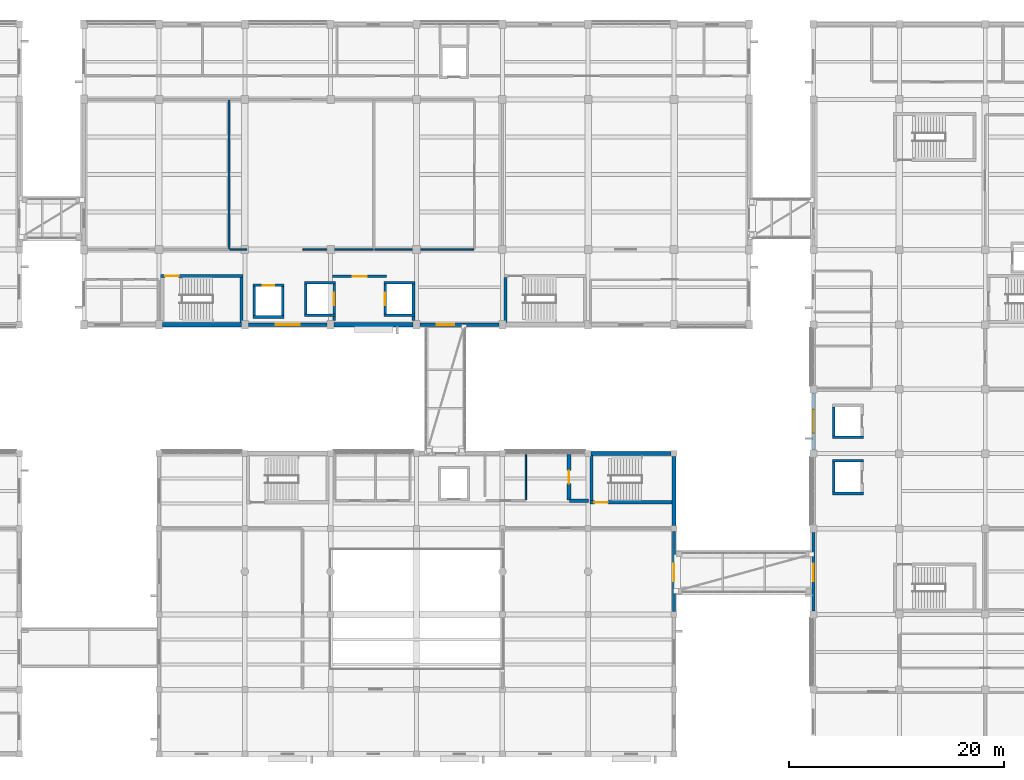
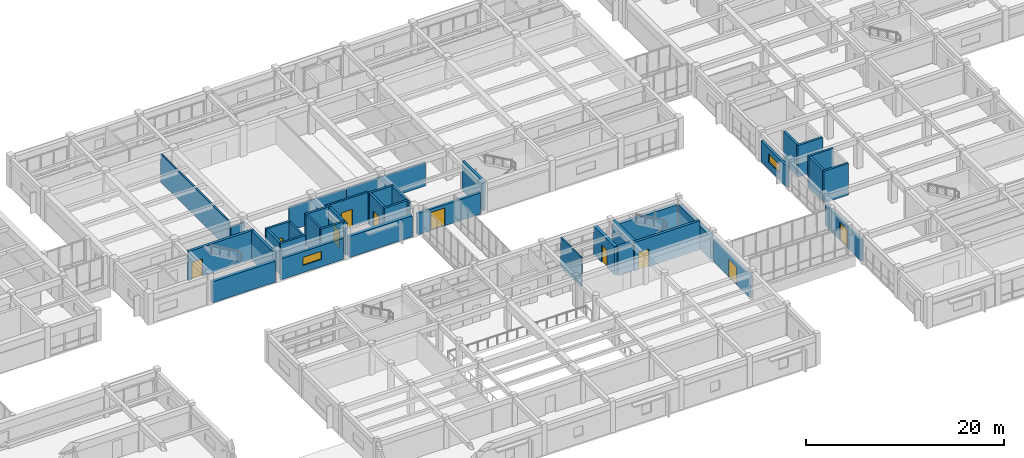
# One storey, part 49 of 66: 39 walls, 10 doors, 2 windows, 12 openings.
"""IFC4 building model written with IfcOpenShell, lengths in metres."""

from ifc_helpers import new_model, si_unit, direction, frame, frame_2d, origin, place, context, subcontext, project, spatial, rectangle, extrude, material, layer, layer_set, type_object, element, fill, save


model = new_model("IFC4")

# Units and contexts
model_context = context("Model", 3, precision=1e-05, world=origin(), true_north=direction((0.0, 1.0)))
body_context = subcontext(model_context, "Body", "Model", "MODEL_VIEW")
ifc_project = project(units=[si_unit("LENGTHUNIT", "METRE"), si_unit("AREAUNIT", "SQUARE_METRE"), si_unit("VOLUMEUNIT", "CUBIC_METRE"), si_unit("PLANEANGLEUNIT", "RADIAN"), si_unit("MASSUNIT", "GRAM", prefix="KILO")], contexts=[model_context])

# Site, building, storey
site_placement = place(None, origin())
site = spatial("IfcSite", under=ifc_project, at=site_placement, CompositionType="ELEMENT")
building_placement = place(site_placement, origin())
building = spatial("IfcBuilding", under=site, at=building_placement, Name="Naurynzar Civic Courthouse", CompositionType="ELEMENT")
storey_placement = place(building_placement, frame((0.0, 0.0, 14.39990234375)))
storey = spatial("IfcBuildingStorey", under=building, at=storey_placement, Name="L04", CompositionType="ELEMENT", Elevation=14.39990234375)

# Walls
ifc_material_1 = material(Name="Acoustic Double-Stud Gypsum Partition")
ifc_layer_1 = layer(ifc_material_1, 0.155029296875)
ifc_layer_set_1 = layer_set([ifc_layer_1], Name="WL-ACOUSTIC-155")
wall_type_1 = type_object("IfcWallType", Name="WL-ACOUSTIC-155", PredefinedType="PARTITIONING", material=ifc_layer_set_1)
wall_1_placement = place(storey_placement, frame((75.60009765625, 51.0, 0.0), z_axis=(0.0, 0.0, 1.0), x_axis=(1.0, 0.0, 0.0)))
element("IfcWall", 1, at=wall_1_placement, inside=storey, type_object=wall_type_1, Name="V2 interior partition L04.485", PredefinedType="PARTITIONING", context=body_context, shape_type="SweptSolid", body=[
    extrude(rectangle(XDim=1.599853515625, YDim=0.155029296875, at=frame_2d((0.7998046875, 0.0))), origin(), (0.0, 0.0, 1.0), 2.93017578125),
])
wall_2_placement = place(storey_placement, frame((82.39990234375, 51.0, 0.0), z_axis=(0.0, 0.0, 1.0), x_axis=(1.0, 0.0, 0.0)))
element("IfcWall", 2, at=wall_2_placement, inside=storey, type_object=wall_type_1, Name="V2 interior partition L04.486", PredefinedType="PARTITIONING", context=body_context, shape_type="SweptSolid", body=[
    extrude(rectangle(XDim=6.56005859375, YDim=0.155029296875, at=frame_2d((3.280029296875, 0.0))), origin(), (0.0, 0.0, 1.0), 2.93017578125),
])
wall_3_placement = place(storey_placement, frame((75.52001953125, 51.080078125, 0.0), z_axis=(0.0, 0.0, 1.0), x_axis=(0.0, 1.0, 0.0)))
element("IfcWall", 3, at=wall_3_placement, inside=storey, type_object=wall_type_1, Name="V2 interior partition L04.534", PredefinedType="PARTITIONING", context=body_context, shape_type="SweptSolid", body=[
    extrude(rectangle(XDim=13.83984375, YDim=0.155029296875, at=frame_2d((6.919921875, 0.0))), origin(), (0.0, 0.0, 1.0), 3.5400390625),
])

# Wall, opening, door
ifc_material_2 = material(Name="Concrete C40/50", Category="concrete")
ifc_layer_2 = layer(ifc_material_2, 0.300048828125)
ifc_layer_set_2 = layer_set([ifc_layer_2], Name="WL-CORE-300")
wall_type_2 = type_object("IfcWallType", Name="WL-CORE-300", PredefinedType="SHEAR", material=ifc_layer_set_2)
wall_4_placement = place(storey_placement, frame((76.85009765625, 48.550048828125, 0.0), z_axis=(0.0, 0.0, 1.0), x_axis=(-1.0, 0.0, 0.0)))
wall_4 = element("IfcWall", 4, at=wall_4_placement, inside=storey, type_object=wall_type_2, Name="Stair ST-V2A enclosure wall north L04", PredefinedType="SHEAR", context=body_context, shape_type="SweptSolid", body=[
    extrude(rectangle(XDim=7.7001953125, YDim=0.300048828125, at=frame_2d((3.85009765625, 0.0))), origin(), (0.0, 0.0, 1.0), 3.6201171875),
])
opening_1_placement = place(wall_4_placement, frame((6.02490234375, 0.0, 0.0)))
opening_1 = element("IfcOpeningElement", 5, at=opening_1_placement, cuts=wall_4, Name="Opening SD-027", PredefinedType="OPENING", context=body_context, shape_type="SweptSolid", body=[
    extrude(rectangle(XDim=1.25, YDim=2.14990234375, at=frame_2d((0.625, 1.074951171875))), frame((0.0, 0.159912109375, 0.0), z_axis=(0.0, -1.0, 0.0), x_axis=(1.0, 0.0, 0.0)), (0.0, 0.0, 1.0), 0.320068359375),
])
ifc_material_3 = material(Name="Powder-Coated Galvanised Steel", Category="steel")
door_type_1 = type_object("IfcDoorType", Name="DR-STAIR-1250x2150", OperationType="NOTDEFINED", PredefinedType="DOOR", material=ifc_material_3)
door_1_placement = place(opening_1_placement, origin())
door_1 = element("IfcDoor", 6, at=door_1_placement, inside=storey, type_object=door_type_1, Name="Stair ST-V2A fire door L04", OperationType="SINGLE_SWING_LEFT", OverallHeight=2.14990234375, OverallWidth=1.25, PredefinedType="DOOR", context=body_context, shape_type="SweptSolid", body=[
    extrude(rectangle(XDim=1.25, YDim=2.14990234375, at=frame_2d((0.625, 1.074951171875))), frame((0.0, 0.02490234375, 0.0), z_axis=(0.0, -1.0, 0.0), x_axis=(1.0, 0.0, 0.0)), (0.0, 0.0, 1.0), 0.050048828125),
])
fill(opening_1, door_1)

# Walls
for number, where, z_axis, x_axis, name in (
    (7, (76.699951171875, 44.195068359375, 0.0), (0.0, 0.0, 1.0), (0.0, 1.0, 0.0), "Stair ST-V2A enclosure wall east L04"),
    (8, (101.300048828125, 48.39501953125, 0.0), (0.0, 0.0, 1.0), (0.0, -1.0, 0.0), "Stair ST-V2B enclosure wall west L04"),
):
    element("IfcWall", number, at=place(storey_placement, frame(where, z_axis=z_axis, x_axis=x_axis)), inside=storey, type_object=wall_type_2, Name=name, PredefinedType="SHEAR", context=body_context, shape_type="SweptSolid", body=[
        extrude(rectangle(XDim=4.199951171875, YDim=0.300048828125, at=frame_2d((2.10009765625, 0.0))), origin(), (0.0, 0.0, 1.0), 3.6201171875),
    ])

# Wall, opening, door
wall_5_placement = place(storey_placement, frame((109.14990234375, 27.449951171875, 0.0), z_axis=(0.0, 0.0, 1.0), x_axis=(1.0, 0.0, 0.0)))
wall_5 = element("IfcWall", 9, at=wall_5_placement, inside=storey, type_object=wall_type_2, Name="Stair ST-V3B enclosure wall south L04", PredefinedType="SHEAR", context=body_context, shape_type="SweptSolid", body=[
    extrude(rectangle(XDim=7.655029296875, YDim=0.300048828125, at=frame_2d((3.82763671875, 0.0))), origin(), (0.0, 0.0, 1.0), 3.56005859375),
])
opening_2_placement = place(wall_5_placement, frame((0.425048828125, 0.0, 0.0)))
opening_2 = element("IfcOpeningElement", 10, at=opening_2_placement, cuts=wall_5, Name="Opening SD-056", PredefinedType="OPENING", context=body_context, shape_type="SweptSolid", body=[
    extrude(rectangle(XDim=1.25, YDim=2.14990234375, at=frame_2d((0.625, 1.074951171875))), frame((0.0, 0.159912109375, 0.0), z_axis=(0.0, -1.0, 0.0), x_axis=(1.0, 0.0, 0.0)), (0.0, 0.0, 1.0), 0.320068359375),
])
door_2_placement = place(opening_2_placement, origin())
door_2 = element("IfcDoor", 11, at=door_2_placement, inside=storey, type_object=door_type_1, Name="Stair ST-V3B fire door L04", OperationType="SINGLE_SWING_RIGHT", OverallHeight=2.14990234375, OverallWidth=1.25, PredefinedType="DOOR", context=body_context, shape_type="SweptSolid", body=[
    extrude(rectangle(XDim=1.25, YDim=2.14990234375, at=frame_2d((0.625, 1.074951171875))), frame((0.0, 0.02490234375, 0.0), z_axis=(0.0, -1.0, 0.0), x_axis=(1.0, 0.0, 0.0)), (0.0, 0.0, 1.0), 0.050048828125),
])
fill(opening_2, door_2)

# Walls
wall_6_placement = place(storey_placement, frame((109.300048828125, 31.804931640625, 0.0), z_axis=(0.0, 0.0, 1.0), x_axis=(0.0, -1.0, 0.0)))
element("IfcWall", 12, at=wall_6_placement, inside=storey, type_object=wall_type_2, Name="Stair ST-V3B enclosure wall west L04", PredefinedType="SHEAR", context=body_context, shape_type="SweptSolid", body=[
    extrude(rectangle(XDim=4.199951171875, YDim=0.300048828125, at=frame_2d((2.10009765625, 0.0))), origin(), (0.0, 0.0, 1.0), 3.56005859375),
])
ifc_material_4 = material(Name="Concrete C40/50", Category="concrete")
ifc_layer_3 = layer(ifc_material_4, 0.35009765625)
ifc_layer_set_3 = layer_set([ifc_layer_3], Name="WL-CORE-350")
wall_type_3 = type_object("IfcWallType", Name="WL-CORE-350", PredefinedType="SHEAR", material=ifc_layer_set_3)
wall_7_placement = place(storey_placement, frame((107.280029296875, 27.60009765625, 0.0), z_axis=(0.0, 0.0, 1.0), x_axis=(1.0, 0.0, 0.0)))
element("IfcWall", 13, at=wall_7_placement, inside=storey, type_object=wall_type_3, Name="V3 interior partition L04.467", PredefinedType="SHEAR", context=body_context, shape_type="SweptSolid", body=[
    extrude(rectangle(XDim=1.77001953125, YDim=0.35009765625, at=frame_2d((0.885009765625, 0.0))), origin(), (0.0, 0.0, 1.0), 3.5400390625),
])

# Wall, opening, door
wall_8_placement = place(storey_placement, frame((107.199951171875, 27.679931640625, 0.0), z_axis=(0.0, 0.0, 1.0), x_axis=(0.0, 1.0, 0.0)))
wall_8 = element("IfcWall", 14, at=wall_8_placement, inside=storey, type_object=wall_type_3, Name="V3 interior partition L04.549", PredefinedType="SHEAR", context=body_context, shape_type="SweptSolid", body=[
    extrude(rectangle(XDim=4.239990234375, YDim=0.35009765625, at=frame_2d((2.1201171875, 0.0))), origin(), (0.0, 0.0, 1.0), 3.5400390625),
])
opening_3_placement = place(wall_8_placement, frame((1.52001953125, 0.0, 0.0)))
opening_3 = element("IfcOpeningElement", 15, at=opening_3_placement, cuts=wall_8, Name="Opening D-249", PredefinedType="OPENING", context=body_context, shape_type="SweptSolid", body=[
    extrude(rectangle(XDim=1.199951171875, YDim=2.14990234375, at=frame_2d((0.60009765625, 1.074951171875))), frame((0.0, 0.18505859375, 0.0), z_axis=(0.0, -1.0, 0.0), x_axis=(1.0, 0.0, 0.0)), (0.0, 0.0, 1.0), 0.3701171875),
])
ifc_material_5 = material(Name="Powder-Coated Galvanised Steel", Category="steel")
door_type_2 = type_object("IfcDoorType", Name="DR-ARCH-1200x2150", OperationType="NOTDEFINED", PredefinedType="DOOR", material=ifc_material_5)
door_3_placement = place(opening_3_placement, origin())
door_3 = element("IfcDoor", 16, at=door_3_placement, inside=storey, type_object=door_type_2, Name="Interior door D-249 (Law Library Book Stacks North L04)", OperationType="SINGLE_SWING_LEFT", OverallHeight=2.14990234375, OverallWidth=1.199951171875, PredefinedType="DOOR", context=body_context, shape_type="SweptSolid", body=[
    extrude(rectangle(XDim=1.199951171875, YDim=2.14990234375, at=frame_2d((0.60009765625, 1.074951171875))), frame((0.0, 0.02490234375, 0.0), z_axis=(0.0, -1.0, 0.0), x_axis=(1.0, 0.0, 0.0)), (0.0, 0.0, 1.0), 0.050048828125),
])
fill(opening_3, door_3)

ifc_material_6 = material(Name="Precast concrete C40/50", Category="concrete")
ifc_layer_4 = layer(ifc_material_6, 0.260009765625)
ifc_layer_set_4 = layer_set([ifc_layer_4], Name="WL-EXT-260")
wall_type_4 = type_object("IfcWallType", Name="WL-EXT-260", PredefinedType="SOLIDWALL", material=ifc_layer_set_4)
wall_9_placement = place(storey_placement, frame((117.0, 24.72509765625, 0.0), z_axis=(0.0, 0.0, 1.0), x_axis=(0.0, -1.0, 0.0)))
wall_9 = element("IfcWall", 17, at=wall_9_placement, inside=storey, type_object=wall_type_4, Name="V3 exterior wall east L04.2.1", PredefinedType="SOLIDWALL", context=body_context, shape_type="SweptSolid", body=[
    extrude(rectangle(XDim=7.4501953125, YDim=0.260009765625, at=frame_2d((3.72509765625, 0.0))), origin(), (0.0, 0.0, 1.0), 2.840087890625),
])
opening_4_placement = place(wall_9_placement, frame((3.0, 0.0, 0.0)))
opening_4 = element("IfcOpeningElement", 18, at=opening_4_placement, cuts=wall_9, Name="Opening BD-26", PredefinedType="OPENING", context=body_context, shape_type="SweptSolid", body=[
    extrude(rectangle(XDim=1.64990234375, YDim=2.199951171875, at=frame_2d((0.824951171875, 1.10009765625))), frame((0.0, 0.139892578125, 0.0), z_axis=(0.0, -1.0, 0.0), x_axis=(1.0, 0.0, 0.0)), (0.0, 0.0, 1.0), 0.280029296875),
])
ifc_material_7 = material(Name="Aluminium 6063-T6", Category="aluminium")
door_type_3 = type_object("IfcDoorType", Name="DR-BRG-1650x2200", OperationType="DOUBLE_DOOR_SINGLE_SWING", PredefinedType="DOOR", material=ifc_material_7)
door_4_placement = place(opening_4_placement, origin())
door_4 = element("IfcDoor", 19, at=door_4_placement, inside=storey, type_object=door_type_3, Name="Seismic bridge fire door BD-26", OperationType="DOUBLE_DOOR_SINGLE_SWING", OverallHeight=2.199951171875, OverallWidth=1.64990234375, PredefinedType="DOOR", context=body_context, shape_type="SweptSolid", body=[
    extrude(rectangle(XDim=1.64990234375, YDim=2.199951171875, at=frame_2d((0.824951171875, 1.10009765625))), frame((0.0, 0.02490234375, 0.0), z_axis=(0.0, -1.0, 0.0), x_axis=(1.0, 0.0, 0.0)), (0.0, 0.0, 1.0), 0.050048828125),
])
fill(opening_4, door_4)

wall_10_placement = place(storey_placement, frame((130.0, 17.33740234375, 0.0), z_axis=(0.0, 0.0, 1.0), x_axis=(0.0, 1.0, 0.0)))
wall_10 = element("IfcWall", 20, at=wall_10_placement, inside=storey, type_object=wall_type_4, Name="V5 exterior wall west L04.3.1", PredefinedType="SOLIDWALL", context=body_context, shape_type="SweptSolid", body=[
    extrude(rectangle(XDim=7.3251953125, YDim=0.260009765625, at=frame_2d((3.66259765625, 0.0))), origin(), (0.0, 0.0, 1.0), 2.610107421875),
])
opening_5_placement = place(wall_10_placement, frame((2.737548828125, 0.0, 0.0)))
opening_5 = element("IfcOpeningElement", 21, at=opening_5_placement, cuts=wall_10, Name="Opening BD-38", PredefinedType="OPENING", context=body_context, shape_type="SweptSolid", body=[
    extrude(rectangle(XDim=1.64990234375, YDim=2.199951171875, at=frame_2d((0.824951171875, 1.10009765625))), frame((0.0, 0.139892578125, 0.0), z_axis=(0.0, -1.0, 0.0), x_axis=(1.0, 0.0, 0.0)), (0.0, 0.0, 1.0), 0.280029296875),
])
door_5_placement = place(opening_5_placement, origin())
door_5 = element("IfcDoor", 22, at=door_5_placement, inside=storey, type_object=door_type_3, Name="Seismic bridge fire door BD-38", OperationType="DOUBLE_DOOR_SINGLE_SWING", OverallHeight=2.199951171875, OverallWidth=1.64990234375, PredefinedType="DOOR", context=body_context, shape_type="SweptSolid", body=[
    extrude(rectangle(XDim=1.64990234375, YDim=2.199951171875, at=frame_2d((0.824951171875, 1.10009765625))), frame((0.0, 0.02490234375, 0.0), z_axis=(0.0, -1.0, 0.0), x_axis=(1.0, 0.0, 0.0)), (0.0, 0.0, 1.0), 0.050048828125),
])
fill(opening_5, door_5)

# Wall, opening, window
wall_11_placement = place(storey_placement, frame((130.0, 32.33740234375, 0.0), z_axis=(0.0, 0.0, 1.0), x_axis=(0.0, 1.0, 0.0)))
wall_11 = element("IfcWall", 23, at=wall_11_placement, inside=storey, type_object=wall_type_4, Name="V5 exterior wall west L04.5.1", PredefinedType="SOLIDWALL", context=body_context, shape_type="SweptSolid", body=[
    extrude(rectangle(XDim=5.3251953125, YDim=0.260009765625, at=frame_2d((2.66259765625, 0.0))), origin(), (0.0, 0.0, 1.0), 2.610107421875),
])
opening_6_placement = place(wall_11_placement, frame((1.5625, 0.0, 0.89990234375)))
opening_6 = element("IfcOpeningElement", 24, at=opening_6_placement, cuts=wall_11, Name="Opening WN-18", PredefinedType="OPENING", context=body_context, shape_type="SweptSolid", body=[
    extrude(rectangle(XDim=2.199951171875, YDim=1.0, at=frame_2d((1.10009765625, 0.5))), frame((0.0, 0.139892578125, 0.0), z_axis=(0.0, -1.0, 0.0), x_axis=(1.0, 0.0, 0.0)), (0.0, 0.0, 1.0), 0.280029296875),
])
ifc_material_8 = material(Name="Tempered Laminated Low-E Glass", Category="glass")
window_type = type_object("IfcWindowType", Name="WIN-CLER-2200x1000", PartitioningType="DOUBLE_PANEL_VERTICAL", PredefinedType="WINDOW", material=ifc_material_8)
window_1_placement = place(opening_6_placement, origin())
window_1 = element("IfcWindow", 25, at=window_1_placement, inside=storey, type_object=window_type, Name="V5 window 301 L04", OverallHeight=1.0, OverallWidth=2.199951171875, PartitioningType="SINGLE_PANEL", PredefinedType="WINDOW", context=body_context, shape_type="SweptSolid", body=[
    extrude(rectangle(XDim=2.199951171875, YDim=1.0, at=frame_2d((1.10009765625, 0.5))), frame((0.0, 0.030029296875, 0.0), z_axis=(0.0, -1.0, 0.0), x_axis=(1.0, 0.0, 0.0)), (0.0, 0.0, 1.0), 0.06005859375),
])
fill(opening_6, window_1)

# Wall, opening, door
ifc_material_9 = material(Name="Precast concrete C40/50", Category="concrete")
ifc_layer_5 = layer(ifc_material_9, 0.300048828125)
ifc_layer_set_5 = layer_set([ifc_layer_5], Name="WL-EXT-300")
wall_type_5 = type_object("IfcWallType", Name="WL-EXT-300", PredefinedType="SOLIDWALL", material=ifc_layer_set_5)
wall_12_placement = place(storey_placement, frame((100.675048828125, 44.0, 0.0), z_axis=(0.0, 0.0, 1.0), x_axis=(-1.0, 0.0, 0.0)))
wall_12 = element("IfcWall", 26, at=wall_12_placement, inside=storey, type_object=wall_type_5, Name="V2 exterior wall south L04.4.1", PredefinedType="SOLIDWALL", context=body_context, shape_type="SweptSolid", body=[
    extrude(rectangle(XDim=7.35009765625, YDim=0.300048828125, at=frame_2d((3.675048828125, 0.0))), origin(), (0.0, 0.0, 1.0), 2.610107421875),
])
opening_7_placement = place(wall_12_placement, frame((4.14990234375, 0.0, 0.0)))
opening_7 = element("IfcOpeningElement", 27, at=opening_7_placement, cuts=wall_12, Name="Opening BD-16", PredefinedType="OPENING", context=body_context, shape_type="SweptSolid", body=[
    extrude(rectangle(XDim=1.64990234375, YDim=2.199951171875, at=frame_2d((0.824951171875, 1.10009765625))), frame((0.0, 0.159912109375, 0.0), z_axis=(0.0, -1.0, 0.0), x_axis=(1.0, 0.0, 0.0)), (0.0, 0.0, 1.0), 0.320068359375),
])
door_6_placement = place(opening_7_placement, origin())
door_6 = element("IfcDoor", 28, at=door_6_placement, inside=storey, type_object=door_type_3, Name="Seismic bridge fire door BD-16", OperationType="DOUBLE_DOOR_SINGLE_SWING", OverallHeight=2.199951171875, OverallWidth=1.64990234375, PredefinedType="DOOR", context=body_context, shape_type="SweptSolid", body=[
    extrude(rectangle(XDim=1.64990234375, YDim=2.199951171875, at=frame_2d((0.824951171875, 1.10009765625))), frame((0.0, 0.02490234375, 0.0), z_axis=(0.0, -1.0, 0.0), x_axis=(1.0, 0.0, 0.0)), (0.0, 0.0, 1.0), 0.050048828125),
])
fill(opening_7, door_6)

# Wall, opening, window
wall_13_placement = place(storey_placement, frame((84.675048828125, 44.0, 0.0), z_axis=(0.0, 0.0, 1.0), x_axis=(-1.0, 0.0, 0.0)))
wall_13 = element("IfcWall", 29, at=wall_13_placement, inside=storey, type_object=wall_type_5, Name="V2 exterior wall south L04.6.1", PredefinedType="SOLIDWALL", context=body_context, shape_type="SweptSolid", body=[
    extrude(rectangle(XDim=7.35009765625, YDim=0.300048828125, at=frame_2d((3.675048828125, 0.0))), origin(), (0.0, 0.0, 1.0), 2.610107421875),
])
opening_8_placement = place(wall_13_placement, frame((2.574951171875, 0.0, 0.89990234375)))
opening_8 = element("IfcOpeningElement", 30, at=opening_8_placement, cuts=wall_13, Name="Opening WN-18", PredefinedType="OPENING", context=body_context, shape_type="SweptSolid", body=[
    extrude(rectangle(XDim=2.199951171875, YDim=1.0, at=frame_2d((1.10009765625, 0.5))), frame((0.0, 0.159912109375, 0.0), z_axis=(0.0, -1.0, 0.0), x_axis=(1.0, 0.0, 0.0)), (0.0, 0.0, 1.0), 0.320068359375),
])
window_2_placement = place(opening_8_placement, origin())
window_2 = element("IfcWindow", 31, at=window_2_placement, inside=storey, type_object=window_type, Name="V2 window 80 L04", OverallHeight=1.0, OverallWidth=2.199951171875, PartitioningType="SINGLE_PANEL", PredefinedType="WINDOW", context=body_context, shape_type="SweptSolid", body=[
    extrude(rectangle(XDim=2.199951171875, YDim=1.0, at=frame_2d((1.10009765625, 0.5))), frame((0.0, 0.030029296875, 0.0), z_axis=(0.0, -1.0, 0.0), x_axis=(1.0, 0.0, 0.0)), (0.0, 0.0, 1.0), 0.06005859375),
])
fill(opening_8, window_2)

# Wall, opening, door
ifc_material_10 = material(Name="Concrete C35/45", Category="concrete")
ifc_layer_6 = layer(ifc_material_10, 0.219970703125)
ifc_layer_set_6 = layer_set([ifc_layer_6], Name="WL-FFL-220")
wall_type_6 = type_object("IfcWallType", Name="WL-FFL-220", PredefinedType="SOLIDWALL", material=ifc_layer_set_6)
wall_14_placement = place(storey_placement, frame((85.179931640625, 48.510009765625, 0.0), z_axis=(0.0, 0.0, 1.0), x_axis=(1.0, 0.0, 0.0)))
wall_14 = element("IfcWall", 32, at=wall_14_placement, inside=storey, type_object=wall_type_6, Name="Firefighting lift lobby EI 120 wall CORE-V2 L04 north", PredefinedType="SOLIDWALL", context=body_context, shape_type="SweptSolid", body=[
    extrude(rectangle(XDim=5.0400390625, YDim=0.219970703125, at=frame_2d((2.52001953125, 0.0))), origin(), (0.0, 0.0, 1.0), 3.6201171875),
])
opening_9_placement = place(wall_14_placement, frame((1.8701171875, 0.0, 0.0)))
opening_9 = element("IfcOpeningElement", 33, at=opening_9_placement, cuts=wall_14, Name="Opening FD-05", PredefinedType="OPENING", context=body_context, shape_type="SweptSolid", body=[
    extrude(rectangle(XDim=1.300048828125, YDim=2.14990234375, at=frame_2d((0.64990234375, 1.074951171875))), frame((0.0, 0.119873046875, 0.0), z_axis=(0.0, -1.0, 0.0), x_axis=(1.0, 0.0, 0.0)), (0.0, 0.0, 1.0), 0.239990234375),
])
ifc_material_11 = material(Name="Powder-Coated Galvanised Steel", Category="steel")
door_type_4 = type_object("IfcDoorType", Name="DR-FFL-1300x2150", OperationType="NOTDEFINED", PredefinedType="DOOR", material=ifc_material_11)
door_7_placement = place(opening_9_placement, origin())
door_7 = element("IfcDoor", 34, at=door_7_placement, inside=storey, type_object=door_type_4, Name="Firefighting lift lobby door FD-05", OperationType="SINGLE_SWING_LEFT", OverallHeight=2.14990234375, OverallWidth=1.300048828125, PredefinedType="DOOR", context=body_context, shape_type="SweptSolid", body=[
    extrude(rectangle(XDim=1.300048828125, YDim=2.14990234375, at=frame_2d((0.64990234375, 1.074951171875))), frame((0.0, 0.02490234375, 0.0), z_axis=(0.0, -1.0, 0.0), x_axis=(1.0, 0.0, 0.0)), (0.0, 0.0, 1.0), 0.050048828125),
])
fill(opening_9, door_7)

# Walls
ifc_material_12 = material(Name="Fire-Rated Corridor Gypsum Partition")
ifc_layer_7 = layer(ifc_material_12, 0.14990234375)
ifc_layer_set_7 = layer_set([ifc_layer_7], Name="WL-PART-CORR-150")
wall_type_7 = type_object("IfcWallType", Name="WL-PART-CORR-150", PredefinedType="PARTITIONING", material=ifc_layer_set_7)
wall_15_placement = place(storey_placement, frame((89.1201171875, 51.0, 0.0), z_axis=(0.0, 0.0, 1.0), x_axis=(1.0, 0.0, 0.0)))
element("IfcWall", 35, at=wall_15_placement, inside=storey, type_object=wall_type_7, Name="V2 interior partition L04.487", PredefinedType="PARTITIONING", context=body_context, shape_type="SweptSolid", body=[
    extrude(rectangle(XDim=9.199951171875, YDim=0.14990234375, at=frame_2d((4.60009765625, 0.0))), origin(), (0.0, 0.0, 1.0), 2.93017578125),
])
ifc_material_13 = material(Name="Moisture-Resistant Plumbing Partition")
ifc_layer_8 = layer(ifc_material_13, 0.139892578125)
ifc_layer_set_8 = layer_set([ifc_layer_8], Name="WL-PART-WC-140")
wall_type_8 = type_object("IfcWallType", Name="WL-PART-WC-140", PredefinedType="PLUMBINGWALL", material=ifc_layer_set_8)
wall_16_placement = place(storey_placement, frame((103.199951171875, 27.679931640625, 0.0), z_axis=(0.0, 0.0, 1.0), x_axis=(0.0, 1.0, 0.0)))
element("IfcWall", 36, at=wall_16_placement, inside=storey, type_object=wall_type_8, Name="V3 interior partition L04.548", PredefinedType="PLUMBINGWALL", context=body_context, shape_type="SweptSolid", body=[
    extrude(rectangle(XDim=4.239990234375, YDim=0.139892578125, at=frame_2d((2.1201171875, 0.0))), origin(), (0.0, 0.0, 1.0), 3.5400390625),
])
ifc_material_14 = material(Name="Concrete C40/50", Category="concrete")
ifc_layer_9 = layer(ifc_material_14, 0.3798828125)
ifc_layer_set_9 = layer_set([ifc_layer_9], Name="WL-RET-380")
wall_type_9 = type_object("IfcWallType", Name="WL-RET-380", PredefinedType="STANDARD", material=ifc_layer_set_9)
for number, where, z_axis, x_axis, name in (
    (37, (92.675048828125, 44.0, 0.0), (0.0, 0.0, 1.0), (-1.0, 0.0, 0.0), "V2 exterior wall south L04.5.1"),
    (38, (76.675048828125, 44.0, 0.0), (0.0, 0.0, 1.0), (-1.0, 0.0, 0.0), "V2 exterior wall south L04.7.1"),
):
    element("IfcWall", number, at=place(storey_placement, frame(where, z_axis=z_axis, x_axis=x_axis)), inside=storey, type_object=wall_type_9, Name=name, PredefinedType="STANDARD", context=body_context, shape_type="SweptSolid", body=[
        extrude(rectangle(XDim=7.35009765625, YDim=0.3798828125, at=frame_2d((3.675048828125, 0.0))), origin(), (0.0, 0.0, 1.0), 2.610107421875),
    ])
wall_17_placement = place(storey_placement, frame((109.27490234375, 32.0, 0.0), z_axis=(0.0, 0.0, 1.0), x_axis=(1.0, 0.0, 0.0)))
element("IfcWall", 39, at=wall_17_placement, inside=storey, type_object=wall_type_9, Name="V3 exterior wall north L04.6.1", PredefinedType="STANDARD", context=body_context, shape_type="SweptSolid", body=[
    extrude(rectangle(XDim=7.4501953125, YDim=0.3798828125, at=frame_2d((3.72509765625, 0.0))), origin(), (0.0, 0.0, 1.0), 2.840087890625),
])
wall_18_placement = place(storey_placement, frame((117.0, 31.72509765625, 0.0), z_axis=(0.0, 0.0, 1.0), x_axis=(0.0, -1.0, 0.0)))
element("IfcWall", 40, at=wall_18_placement, inside=storey, type_object=wall_type_9, Name="V3 exterior wall east L04.1.1", PredefinedType="STANDARD", context=body_context, shape_type="SweptSolid", body=[
    extrude(rectangle(XDim=6.4501953125, YDim=0.3798828125, at=frame_2d((3.22509765625, 0.0))), origin(), (0.0, 0.0, 1.0), 2.840087890625),
])
ifc_material_15 = material(Name="Concrete C40/50", Category="concrete")
ifc_layer_10 = layer(ifc_material_15, 0.25)
ifc_layer_set_10 = layer_set([ifc_layer_10], Name="WL-SHAFT-250")
wall_type_10 = type_object("IfcWallType", Name="WL-SHAFT-250", PredefinedType="SHEAR", material=ifc_layer_set_10)
wall_19_placement = place(storey_placement, frame((77.75, 44.72509765625, 0.0), z_axis=(0.0, 0.0, 1.0), x_axis=(1.0, 0.0, 0.0)))
element("IfcWall", 41, at=wall_19_placement, inside=storey, type_object=wall_type_10, Name="Lift LP-03 shaft wall south L04", PredefinedType="SHEAR", context=body_context, shape_type="SweptSolid", body=[
    extrude(rectangle(XDim=2.89990234375, YDim=0.25, at=frame_2d((1.449951171875, 0.0))), origin(), (0.0, 0.0, 1.0), 3.900146484375),
])

# Wall, opening, door
wall_20_placement = place(storey_placement, frame((80.64990234375, 47.675048828125, 0.0), z_axis=(0.0, 0.0, 1.0), x_axis=(-1.0, 0.0, 0.0)))
wall_20 = element("IfcWall", 42, at=wall_20_placement, inside=storey, type_object=wall_type_10, Name="Lift LP-03 shaft wall north L04", PredefinedType="SHEAR", context=body_context, shape_type="SweptSolid", body=[
    extrude(rectangle(XDim=2.89990234375, YDim=0.25, at=frame_2d((1.449951171875, 0.0))), origin(), (0.0, 0.0, 1.0), 3.900146484375),
])
opening_10_placement = place(wall_20_placement, frame((0.89990234375, 0.0, 0.0)))
opening_10 = element("IfcOpeningElement", 43, at=opening_10_placement, cuts=wall_20, Name="Opening LD-021", PredefinedType="OPENING", context=body_context, shape_type="SweptSolid", body=[
    extrude(rectangle(XDim=1.10009765625, YDim=2.14990234375, at=frame_2d((0.550048828125, 1.074951171875))), frame((0.0, 0.135009765625, 0.0), z_axis=(0.0, -1.0, 0.0), x_axis=(1.0, 0.0, 0.0)), (0.0, 0.0, 1.0), 0.27001953125),
])
ifc_material_16 = material(Name="Brushed Stainless Steel 304", Category="steel")
door_type_5 = type_object("IfcDoorType", Name="DR-LIFT-SLIDE-1100x2150", OperationType="DOUBLE_DOOR_SLIDING", PredefinedType="DOOR", material=ifc_material_16)
door_8_placement = place(opening_10_placement, origin())
door_8 = element("IfcDoor", 44, at=door_8_placement, inside=storey, type_object=door_type_5, Name="Lift LP-03 sliding landing door L04", OperationType="DOUBLE_DOOR_SLIDING", OverallHeight=2.14990234375, OverallWidth=1.10009765625, PredefinedType="DOOR", context=body_context, shape_type="SweptSolid", body=[
    extrude(rectangle(XDim=1.10009765625, YDim=2.14990234375, at=frame_2d((0.550048828125, 1.074951171875))), frame((0.0, 0.02490234375, 0.0), z_axis=(0.0, -1.0, 0.0), x_axis=(1.0, 0.0, 0.0)), (0.0, 0.0, 1.0), 0.050048828125),
])
fill(opening_10, door_8)

# Walls
for number, where, z_axis, x_axis, name in (
    (45, (77.875, 47.544921875, 0.0), (0.0, 0.0, 1.0), (0.0, -1.0, 0.0), "Lift LP-03 shaft wall west L04"),
    (46, (80.52490234375, 44.85498046875, 0.0), (0.0, 0.0, 1.0), (0.0, 1.0, 0.0), "Lift LP-03 shaft wall east L04"),
):
    element("IfcWall", number, at=place(storey_placement, frame(where, z_axis=z_axis, x_axis=x_axis)), inside=storey, type_object=wall_type_10, Name=name, PredefinedType="SHEAR", context=body_context, shape_type="SweptSolid", body=[
        extrude(rectangle(XDim=2.68994140625, YDim=0.25, at=frame_2d((1.344970703125, 0.0))), origin(), (0.0, 0.0, 1.0), 3.900146484375),
    ])
for number, where, z_axis, x_axis, name in (
    (47, (82.550048828125, 44.875, 0.0), (0.0, 0.0, 1.0), (1.0, 0.0, 0.0), "Lift FL-02 shaft wall south L04"),
    (48, (85.449951171875, 47.925048828125, 0.0), (0.0, 0.0, 1.0), (-1.0, 0.0, 0.0), "Lift FL-02 shaft wall north L04"),
):
    element("IfcWall", number, at=place(storey_placement, frame(where, z_axis=z_axis, x_axis=x_axis)), inside=storey, type_object=wall_type_10, Name=name, PredefinedType="SHEAR", context=body_context, shape_type="SweptSolid", body=[
        extrude(rectangle(XDim=2.89990234375, YDim=0.25, at=frame_2d((1.449951171875, 0.0))), origin(), (0.0, 0.0, 1.0), 3.900146484375),
    ])
wall_21_placement = place(storey_placement, frame((82.675048828125, 47.794921875, 0.0), z_axis=(0.0, 0.0, 1.0), x_axis=(0.0, -1.0, 0.0)))
element("IfcWall", 49, at=wall_21_placement, inside=storey, type_object=wall_type_10, Name="Lift FL-02 shaft wall west L04", PredefinedType="SHEAR", context=body_context, shape_type="SweptSolid", body=[
    extrude(rectangle(XDim=2.7900390625, YDim=0.25, at=frame_2d((1.39501953125, 0.0))), origin(), (0.0, 0.0, 1.0), 3.900146484375),
])

# Wall, opening, door
wall_22_placement = place(storey_placement, frame((85.324951171875, 44.3798828125, 0.0), z_axis=(0.0, 0.0, 1.0), x_axis=(0.0, 1.0, 0.0)))
wall_22 = element("IfcWall", 50, at=wall_22_placement, inside=storey, type_object=wall_type_10, Name="Lift FL-02 shaft wall east L04", PredefinedType="SHEAR", context=body_context, shape_type="SweptSolid", body=[
    extrude(rectangle(XDim=3.4150390625, YDim=0.25, at=frame_2d((1.70751953125, 0.0))), origin(), (0.0, 0.0, 1.0), 3.900146484375),
])
opening_11_placement = place(wall_22_placement, frame((1.419921875, 0.0, 0.0)))
opening_11 = element("IfcOpeningElement", 51, at=opening_11_placement, cuts=wall_22, Name="Opening LD-032", PredefinedType="OPENING", context=body_context, shape_type="SweptSolid", body=[
    extrude(rectangle(XDim=1.199951171875, YDim=2.199951171875, at=frame_2d((0.60009765625, 1.10009765625))), frame((0.0, 0.135009765625, 0.0), z_axis=(0.0, -1.0, 0.0), x_axis=(1.0, 0.0, 0.0)), (0.0, 0.0, 1.0), 0.27001953125),
])
ifc_material_17 = material(Name="Brushed Stainless Steel 304", Category="steel")
door_type_6 = type_object("IfcDoorType", Name="DR-LIFT-FF-1200x2200", OperationType="DOUBLE_DOOR_SLIDING", PredefinedType="DOOR", material=ifc_material_17)
door_9_placement = place(opening_11_placement, origin())
door_9 = element("IfcDoor", 52, at=door_9_placement, inside=storey, type_object=door_type_6, Name="Lift FL-02 sliding landing door L04", OperationType="DOUBLE_DOOR_SLIDING", OverallHeight=2.199951171875, OverallWidth=1.199951171875, PredefinedType="DOOR", context=body_context, shape_type="SweptSolid", body=[
    extrude(rectangle(XDim=1.199951171875, YDim=2.199951171875, at=frame_2d((0.60009765625, 1.10009765625))), frame((0.0, 0.02490234375, 0.0), z_axis=(0.0, -1.0, 0.0), x_axis=(1.0, 0.0, 0.0)), (0.0, 0.0, 1.0), 0.050048828125),
])
fill(opening_11, door_9)

# Walls
for number, where, z_axis, x_axis, name in (
    (53, (89.949951171875, 44.875, 0.0), (0.0, 0.0, 1.0), (1.0, 0.0, 0.0), "Lift FL-01 shaft wall south L04"),
    (54, (92.85009765625, 47.925048828125, 0.0), (0.0, 0.0, 1.0), (-1.0, 0.0, 0.0), "Lift FL-01 shaft wall north L04"),
):
    element("IfcWall", number, at=place(storey_placement, frame(where, z_axis=z_axis, x_axis=x_axis)), inside=storey, type_object=wall_type_10, Name=name, PredefinedType="SHEAR", context=body_context, shape_type="SweptSolid", body=[
        extrude(rectangle(XDim=2.900146484375, YDim=0.25, at=frame_2d((1.4501953125, 0.0))), origin(), (0.0, 0.0, 1.0), 3.900146484375),
    ])

# Wall, opening, door
wall_23_placement = place(storey_placement, frame((90.074951171875, 47.794921875, 0.0), z_axis=(0.0, 0.0, 1.0), x_axis=(0.0, -1.0, 0.0)))
wall_23 = element("IfcWall", 55, at=wall_23_placement, inside=storey, type_object=wall_type_10, Name="Lift FL-01 shaft wall west L04", PredefinedType="SHEAR", context=body_context, shape_type="SweptSolid", body=[
    extrude(rectangle(XDim=2.7900390625, YDim=0.25, at=frame_2d((1.39501953125, 0.0))), origin(), (0.0, 0.0, 1.0), 3.900146484375),
])
opening_12_placement = place(wall_23_placement, frame((0.794921875, 0.0, 0.0)))
opening_12 = element("IfcOpeningElement", 56, at=opening_12_placement, cuts=wall_23, Name="Opening LD-043", PredefinedType="OPENING", context=body_context, shape_type="SweptSolid", body=[
    extrude(rectangle(XDim=1.199951171875, YDim=2.199951171875, at=frame_2d((0.60009765625, 1.10009765625))), frame((0.0, 0.135009765625, 0.0), z_axis=(0.0, -1.0, 0.0), x_axis=(1.0, 0.0, 0.0)), (0.0, 0.0, 1.0), 0.27001953125),
])
door_10_placement = place(opening_12_placement, origin())
door_10 = element("IfcDoor", 57, at=door_10_placement, inside=storey, type_object=door_type_6, Name="Lift FL-01 sliding landing door L04", OperationType="DOUBLE_DOOR_SLIDING", OverallHeight=2.199951171875, OverallWidth=1.199951171875, PredefinedType="DOOR", context=body_context, shape_type="SweptSolid", body=[
    extrude(rectangle(XDim=1.199951171875, YDim=2.199951171875, at=frame_2d((0.60009765625, 1.10009765625))), frame((0.0, 0.02490234375, 0.0), z_axis=(0.0, -1.0, 0.0), x_axis=(1.0, 0.0, 0.0)), (0.0, 0.0, 1.0), 0.050048828125),
])
fill(opening_12, door_10)

# Walls
wall_24_placement = place(storey_placement, frame((92.72509765625, 44.3798828125, 0.0), z_axis=(0.0, 0.0, 1.0), x_axis=(0.0, 1.0, 0.0)))
element("IfcWall", 58, at=wall_24_placement, inside=storey, type_object=wall_type_10, Name="Lift FL-01 shaft wall east L04", PredefinedType="SHEAR", context=body_context, shape_type="SweptSolid", body=[
    extrude(rectangle(XDim=3.4150390625, YDim=0.25, at=frame_2d((1.70751953125, 0.0))), origin(), (0.0, 0.0, 1.0), 3.900146484375),
])
wall_25_placement = place(storey_placement, frame((131.75, 33.52490234375, 0.0), z_axis=(0.0, 0.0, 1.0), x_axis=(1.0, 0.0, 0.0)))
element("IfcWall", 59, at=wall_25_placement, inside=storey, type_object=wall_type_10, Name="Lift LP-05 shaft wall south L04", PredefinedType="SHEAR", context=body_context, shape_type="SweptSolid", body=[
    extrude(rectangle(XDim=2.89990234375, YDim=0.25, at=frame_2d((1.449951171875, 0.0))), origin(), (0.0, 0.0, 1.0), 3.900146484375),
])
wall_26_placement = place(storey_placement, frame((131.875, 36.344970703125, 0.0), z_axis=(0.0, 0.0, 1.0), x_axis=(0.0, -1.0, 0.0)))
element("IfcWall", 60, at=wall_26_placement, inside=storey, type_object=wall_type_10, Name="Lift LP-05 shaft wall west L04", PredefinedType="SHEAR", context=body_context, shape_type="SweptSolid", body=[
    extrude(rectangle(XDim=2.68994140625, YDim=0.25, at=frame_2d((1.344970703125, 0.0))), origin(), (0.0, 0.0, 1.0), 3.900146484375),
])
for number, where, z_axis, x_axis, name in (
    (61, (131.75, 28.27490234375, 0.0), (0.0, 0.0, 1.0), (1.0, 0.0, 0.0), "Lift LP-06 shaft wall south L04"),
    (62, (134.64990234375, 31.324951171875, 0.0), (0.0, 0.0, 1.0), (-1.0, 0.0, 0.0), "Lift LP-06 shaft wall north L04"),
):
    element("IfcWall", number, at=place(storey_placement, frame(where, z_axis=z_axis, x_axis=x_axis)), inside=storey, type_object=wall_type_10, Name=name, PredefinedType="SHEAR", context=body_context, shape_type="SweptSolid", body=[
        extrude(rectangle(XDim=2.89990234375, YDim=0.25, at=frame_2d((1.449951171875, 0.0))), origin(), (0.0, 0.0, 1.0), 3.900146484375),
    ])
wall_27_placement = place(storey_placement, frame((131.875, 31.195068359375, 0.0), z_axis=(0.0, 0.0, 1.0), x_axis=(0.0, -1.0, 0.0)))
element("IfcWall", 63, at=wall_27_placement, inside=storey, type_object=wall_type_10, Name="Lift LP-06 shaft wall west L04", PredefinedType="SHEAR", context=body_context, shape_type="SweptSolid", body=[
    extrude(rectangle(XDim=2.7900390625, YDim=0.25, at=frame_2d((1.39501953125, 0.0))), origin(), (0.0, 0.0, 1.0), 3.900146484375),
])

save(model, "model.ifc")
